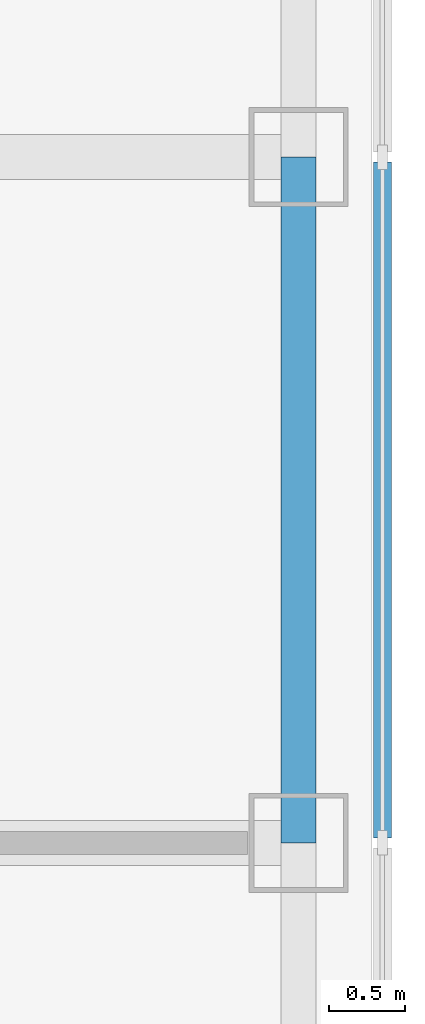
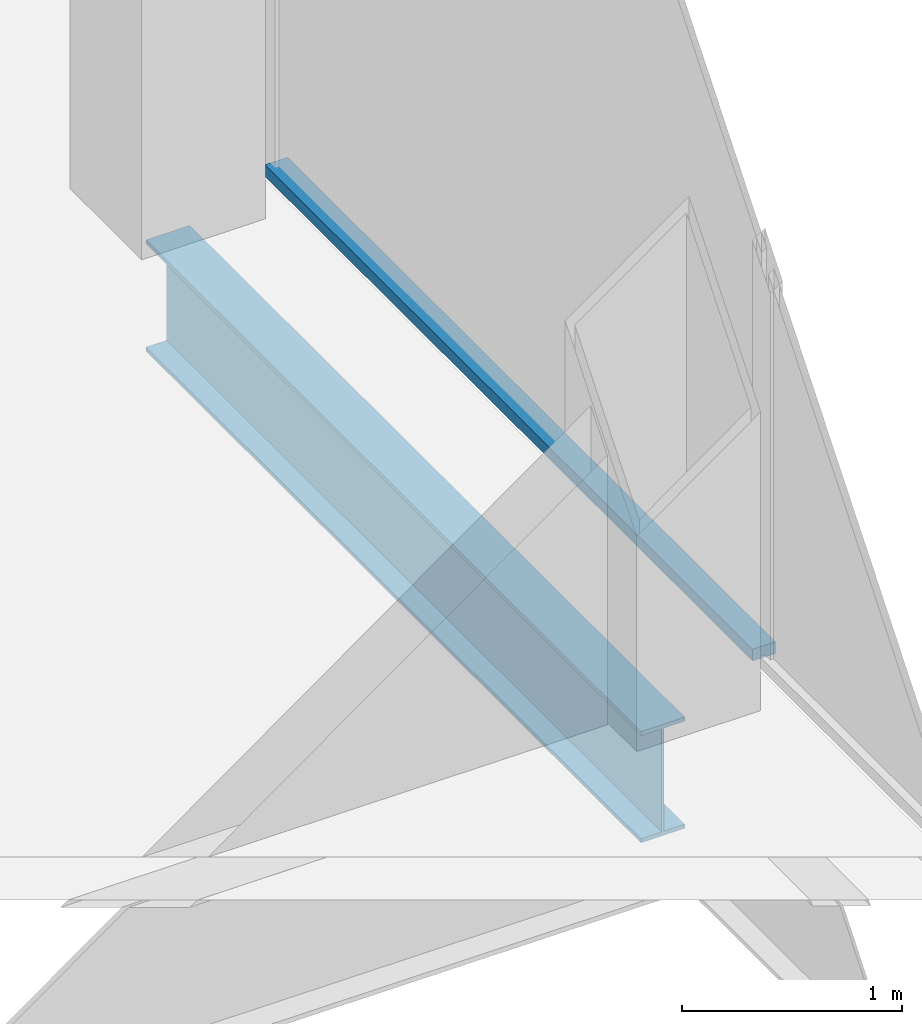
# One storey, part 5 of 13: 1 beam, 1 member, 1 element without a shape of its own.
"""IFC4 building model written with IfcOpenShell, lengths in metres."""

from ifc_helpers import new_model, si_unit, direction, frame, origin, origin_2d, place, context, subcontext, project, spatial, rectangle, i_section, extrude, material, material_profile, profile_set, type_object, element, aggregate, save


model = new_model("IFC4")

# Units and contexts
model_context = context("Model", 3, precision=1e-05, world=origin(), true_north=direction((0.0, 1.0)))
body_context = subcontext(model_context, "Body", "Model", "MODEL_VIEW")
ifc_project = project(units=[si_unit("LENGTHUNIT", "METRE"), si_unit("AREAUNIT", "SQUARE_METRE"), si_unit("VOLUMEUNIT", "CUBIC_METRE"), si_unit("PLANEANGLEUNIT", "RADIAN"), si_unit("MASSUNIT", "GRAM", prefix="KILO")], contexts=[model_context])

# Site, building, storey
site_placement = place(None, origin())
site = spatial("IfcSite", under=ifc_project, at=site_placement, CompositionType="ELEMENT")
building_placement = place(site_placement, origin())
building = spatial("IfcBuilding", under=site, at=building_placement, Name="Corais Broadcast Tower", CompositionType="ELEMENT")
storey_placement = place(building_placement, frame((0.0, 0.0, 242.60009765625)))
storey = spatial("IfcBuildingStorey", under=building, at=storey_placement, Name="L56", CompositionType="ELEMENT", Elevation=242.60009765625)

# Beam
ifc_material_1 = material(Name="Steel ASTM A572 Grade 50", Category="steel")
ifc_material_profile_1 = material_profile(ifc_material_1, i_section(OverallWidth=0.22998046875, OverallDepth=0.616943359375, WebThickness=0.01318359375, FlangeThickness=0.022216796875, at=origin_2d()), Name="W610x140")
ifc_profile_set_1 = profile_set([ifc_material_profile_1], Name="Steel ASTM A572 Grade 50")
beam_type = type_object("IfcBeamType", Name="Spandrel W610x140", PredefinedType="BEAM", material=ifc_profile_set_1)
beam_placement = place(storey_placement, frame((54.0, 27.0, -0.468505859375), z_axis=(0.0, 1.0, 0.0), x_axis=(-1.0, 0.0, 0.0)))
element("IfcBeam", 1, at=beam_placement, inside=storey, type_object=beam_type, Name="SB3 G/15 to H/15", PredefinedType="BEAM", context=body_context, shape_type="SweptSolid", body=[
    extrude(i_section(OverallWidth=0.22998046875, OverallDepth=0.616943359375, WebThickness=0.01318359375, FlangeThickness=0.022216796875, at=origin_2d()), origin(), (0.0, 0.0, 1.0), 4.5),
])

# Curtain wall, member
ifc_material_2 = material(Name="Aluminium and glass", Category="aluminium")
curtain_wall_type = type_object("IfcCurtainWallType", Name="Unitised fritted curtain wall CW3", PredefinedType="NOTDEFINED", material=ifc_material_2)
curtain_wall_placement = place(storey_placement, origin())
curtain_wall = element("IfcCurtainWall", 2, at=curtain_wall_placement, inside=storey, type_object=curtain_wall_type, Name="CW3 curtain wall L56 6", PredefinedType="NOTDEFINED")
ifc_material_3 = material(Name="Aluminium 6063-T6", Category="aluminium")
ifc_material_profile_2 = material_profile(ifc_material_3, rectangle(XDim=0.1201171875, YDim=0.06494140625, at=origin_2d()), Name="Transom CW3 65x120")
ifc_profile_set_2 = profile_set([ifc_material_profile_2], Name="Aluminium 6063-T6")
member_type = type_object("IfcMemberType", Name="Transom CW3 65x120", PredefinedType="USERDEFINED", material=ifc_profile_set_2)
member_placement = place(storey_placement, frame((54.550048828125, 31.467529296875, 0.032470703125), z_axis=(0.0, -1.0, 0.0), x_axis=(1.0, 0.0, 0.0)))
member = element("IfcMember", 3, at=member_placement, type_object=member_type, Name="CW3 transom 3.1", ObjectType="TRANSOM", PredefinedType="USERDEFINED", context=body_context, shape_type="SweptSolid", body=[
    extrude(rectangle(XDim=0.1201171875, YDim=0.06494140625, at=origin_2d()), origin(), (0.0, 0.0, 1.0), 4.43505859375),
])
aggregate(curtain_wall, [member])

save(model, "model.ifc")
